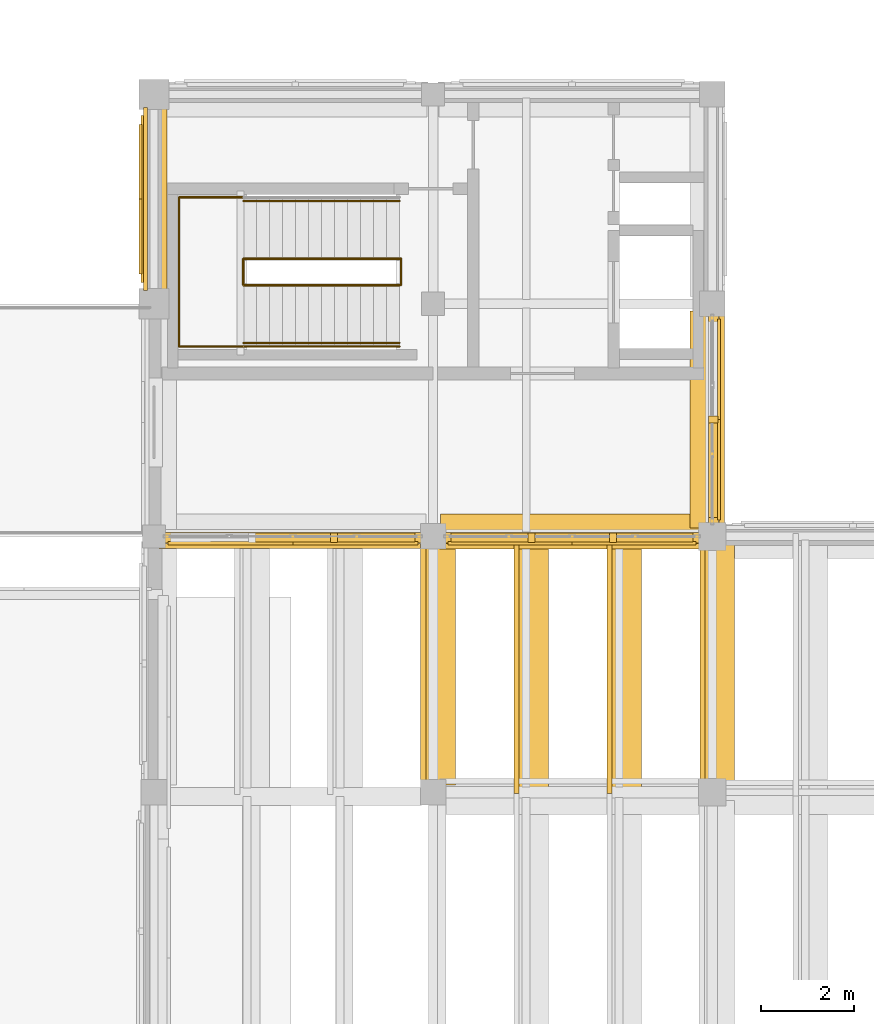
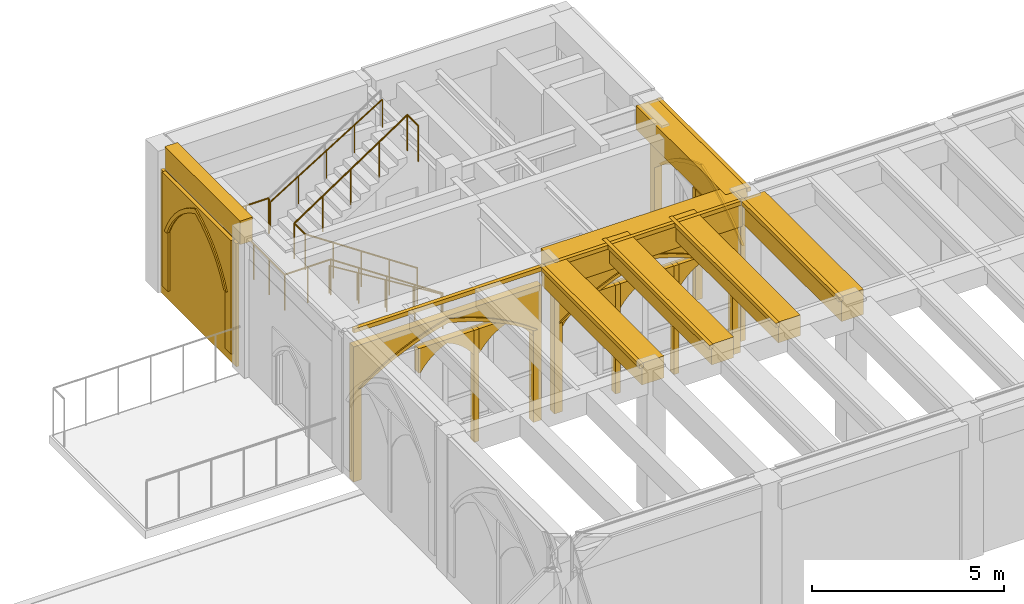
# One storey, part 99 of 127: 33 coverings, 5 railings.
"""IFC4 building model written with IfcOpenShell, lengths in metres."""

from ifc_helpers import new_model, si_unit, direction, frame, origin, origin_2d, place, context, subcontext, project, spatial, polyline, rectangle, circle, outline, extrude, material, type_object, element, save


model = new_model("IFC4")

# Units and contexts
model_context = context("Model", 3, precision=1e-05, world=origin(), true_north=direction((0.0, 1.0)))
body_context = subcontext(model_context, "Body", "Model", "MODEL_VIEW")
ifc_project = project(units=[si_unit("LENGTHUNIT", "METRE"), si_unit("AREAUNIT", "SQUARE_METRE"), si_unit("VOLUMEUNIT", "CUBIC_METRE"), si_unit("PLANEANGLEUNIT", "RADIAN"), si_unit("MASSUNIT", "GRAM", prefix="KILO")], contexts=[model_context])

# Site, building, storey
site_placement = place(None, origin())
site = spatial("IfcSite", under=ifc_project, at=site_placement, CompositionType="ELEMENT")
building_placement = place(site_placement, origin())
building = spatial("IfcBuilding", under=site, at=building_placement, Name="Cumevento Cable Car Station", CompositionType="ELEMENT")
storey_placement = place(building_placement, frame((0.0, 0.0, 4.5)))
storey = spatial("IfcBuildingStorey", under=building, at=storey_placement, Name="L02", CompositionType="ELEMENT", Elevation=4.5)

# Railings
ifc_material_1 = material(Name="Painted Galvanised Architectural Steel", Category="steel")
railing_type_1 = type_object("IfcRailingType", Name="Stair Guardrail GR-S115", PredefinedType="GUARDRAIL", material=ifc_material_1)
railing_1_placement = place(storey_placement, frame((27.280029296875, 61.89990234375, 0.0)))
element("IfcRailing", 1, at=railing_1_placement, inside=storey, type_object=railing_type_1, Name="Stair Well Inner Guardrail ST-04-L02", PredefinedType="GUARDRAIL", context=body_context, shape_type="SweptSolid", body=[
    extrude(circle(Radius=0.02392578125, at=origin_2d()), frame((0.0, 0.0, 1.1259765625), z_axis=(-0.830915400975, 0.0, 0.556398774641), x_axis=(0.0, -1.0, 0.0)), (0.0, 0.0, 1.0), 4.0439453125),
    extrude(circle(Radius=0.02392578125, at=origin_2d()), frame((-3.360107421875, 0.0, 3.3759765625), z_axis=(0.0, 1.0, 0.0), x_axis=(-1.0, 0.0, 0.0)), (0.0, 0.0, 1.0), 0.570068359375),
    extrude(circle(Radius=0.02392578125, at=origin_2d()), frame((-3.360107421875, 0.570068359375, 3.3759765625), z_axis=(0.833193183746, 0.0, 0.552982023722), x_axis=(0.0, 1.0, 0.0)), (0.0, 0.0, 1.0), 4.06884765625),
    extrude(circle(Radius=0.02392578125, at=origin_2d()), frame((0.030029296875, 0.570068359375, 5.6259765625), z_axis=(0.0, -1.0, 0.0), x_axis=(1.0, 0.0, 0.0)), (0.0, 0.0, 1.0), 0.570068359375),
    extrude(circle(Radius=0.02001953125, at=origin_2d()), origin(), (0.0, 0.0, 1.0), 1.101806640625),
    extrude(circle(Radius=0.02001953125, at=origin_2d()), frame((-0.840087890625, 0.0, 0.5625)), (0.0, 0.0, 1.0), 1.101806640625),
    extrude(circle(Radius=0.02001953125, at=origin_2d()), frame((-1.68017578125, 0.0, 1.125)), (0.0, 0.0, 1.0), 1.101806640625),
    extrude(circle(Radius=0.02001953125, at=origin_2d()), frame((-2.52001953125, 0.0, 1.6875)), (0.0, 0.0, 1.0), 1.101806640625),
    extrude(circle(Radius=0.02001953125, at=origin_2d()), frame((-3.360107421875, 0.0, 2.25)), (0.0, 0.0, 1.0), 1.101806640625),
    extrude(circle(Radius=0.02001953125, at=origin_2d()), frame((-3.360107421875, 0.570068359375, 2.25)), (0.0, 0.0, 1.0), 1.101806640625),
    extrude(circle(Radius=0.02001953125, at=origin_2d()), frame((-2.5126953125, 0.570068359375, 2.8125)), (0.0, 0.0, 1.0), 1.101806640625),
    extrude(circle(Radius=0.02001953125, at=origin_2d()), frame((-1.6650390625, 0.570068359375, 3.375)), (0.0, 0.0, 1.0), 1.101806640625),
    extrude(circle(Radius=0.02001953125, at=origin_2d()), frame((-0.8173828125, 0.570068359375, 3.9375)), (0.0, 0.0, 1.0), 1.101806640625),
    extrude(circle(Radius=0.02001953125, at=origin_2d()), frame((0.030029296875, 0.570068359375, 4.5)), (0.0, 0.0, 1.0), 1.101806640625),
    extrude(circle(Radius=0.02001953125, at=origin_2d()), frame((0.030029296875, 0.0, 4.5)), (0.0, 0.0, 1.0), 1.101806640625),
])
railing_2_placement = place(storey_placement, frame((23.919921875, 60.580078125, 2.25)))
element("IfcRailing", 2, at=railing_2_placement, inside=storey, type_object=railing_type_1, Name="Stair Half-Landing Guardrail ST-04-L02", PredefinedType="GUARDRAIL", context=body_context, shape_type="SweptSolid", body=[
    extrude(circle(Radius=0.02392578125, at=origin_2d()), frame((0.0, 0.0, 1.1259765625), z_axis=(-1.0, 0.0, 0.0), x_axis=(0.0, -1.0, 0.0)), (0.0, 0.0, 1.0), 1.3798828125),
    extrude(circle(Radius=0.02392578125, at=origin_2d()), frame((-1.3798828125, 0.0, 1.1259765625), z_axis=(0.0, 1.0, 0.0), x_axis=(-1.0, 0.0, 0.0)), (0.0, 0.0, 1.0), 3.2099609375),
    extrude(circle(Radius=0.02392578125, at=origin_2d()), frame((-1.3798828125, 3.2099609375, 1.1259765625), z_axis=(1.0, 0.0, 0.0), x_axis=(0.0, 1.0, 0.0)), (0.0, 0.0, 1.0), 1.3798828125),
    extrude(circle(Radius=0.02001953125, at=origin_2d()), origin(), (0.0, 0.0, 1.0), 1.101806640625),
    extrude(circle(Radius=0.02001953125, at=origin_2d()), frame((-0.68994140625, 0.0, 0.0)), (0.0, 0.0, 1.0), 1.101806640625),
    extrude(circle(Radius=0.02001953125, at=origin_2d()), frame((-1.3798828125, 0.0, 0.0)), (0.0, 0.0, 1.0), 1.101806640625),
    extrude(circle(Radius=0.02001953125, at=origin_2d()), frame((-1.3798828125, 0.802490234375, 0.0)), (0.0, 0.0, 1.0), 1.101806640625),
    extrude(circle(Radius=0.02001953125, at=origin_2d()), frame((-1.3798828125, 1.60498046875, 0.0)), (0.0, 0.0, 1.0), 1.101806640625),
    extrude(circle(Radius=0.02001953125, at=origin_2d()), frame((-1.3798828125, 2.407470703125, 0.0)), (0.0, 0.0, 1.0), 1.101806640625),
    extrude(circle(Radius=0.02001953125, at=origin_2d()), frame((-1.3798828125, 3.2099609375, 0.0)), (0.0, 0.0, 1.0), 1.101806640625),
    extrude(circle(Radius=0.02001953125, at=origin_2d()), frame((-0.68994140625, 3.2099609375, 0.0)), (0.0, 0.0, 1.0), 1.101806640625),
    extrude(circle(Radius=0.02001953125, at=origin_2d()), frame((0.0, 3.2099609375, 0.0)), (0.0, 0.0, 1.0), 1.101806640625),
])
railing_3_placement = place(storey_placement, frame((27.280029296875, 60.580078125, 0.0)))
element("IfcRailing", 3, at=railing_3_placement, inside=storey, type_object=railing_type_1, Name="Stair Outer Guardrail ST-04-L02 F1", PredefinedType="GUARDRAIL", context=body_context, shape_type="SweptSolid", body=[
    extrude(circle(Radius=0.02392578125, at=origin_2d()), frame((0.0, 0.0, 1.1259765625), z_axis=(-0.830915400975, 0.0, 0.556398774641), x_axis=(0.0, -1.0, 0.0)), (0.0, 0.0, 1.0), 4.0439453125),
    extrude(circle(Radius=0.02001953125, at=origin_2d()), origin(), (0.0, 0.0, 1.0), 1.101806640625),
    extrude(circle(Radius=0.02001953125, at=origin_2d()), frame((-0.840087890625, 0.0, 0.5625)), (0.0, 0.0, 1.0), 1.101806640625),
    extrude(circle(Radius=0.02001953125, at=origin_2d()), frame((-1.68017578125, 0.0, 1.125)), (0.0, 0.0, 1.0), 1.101806640625),
    extrude(circle(Radius=0.02001953125, at=origin_2d()), frame((-2.52001953125, 0.0, 1.6875)), (0.0, 0.0, 1.0), 1.101806640625),
    extrude(circle(Radius=0.02001953125, at=origin_2d()), frame((-3.360107421875, 0.0, 2.25)), (0.0, 0.0, 1.0), 1.101806640625),
])
ifc_material_2 = material(Name="Brushed Stainless Steel Handrail Tube", Category="steel")
railing_type_2 = type_object("IfcRailingType", Name="Stair Handrail HR-090", PredefinedType="HANDRAIL", material=ifc_material_2)
railing_4_placement = place(storey_placement, frame((27.280029296875, 60.659912109375, 0.17626953125)))
element("IfcRailing", 4, at=railing_4_placement, inside=storey, type_object=railing_type_2, Name="Stair Pitch Handrail ST-04-L02 F1", PredefinedType="HANDRAIL", context=body_context, shape_type="SweptSolid", body=[
    extrude(circle(Radius=0.02099609375, at=origin_2d()), frame((0.0, 0.0, 0.87890625), z_axis=(-0.850623216509, 0.0, 0.525775754039), x_axis=(0.0, -1.0, 0.0)), (0.0, 0.0, 1.0), 3.9501953125),
    extrude(circle(Radius=0.01611328125, at=origin_2d()), origin(), (0.0, 0.0, 1.0), 0.85791015625),
    extrude(circle(Radius=0.01611328125, at=origin_2d()), frame((-0.840087890625, 0.0, 0.519287109375)), (0.0, 0.0, 1.0), 0.85791015625),
    extrude(circle(Radius=0.01611328125, at=origin_2d()), frame((-1.68017578125, 0.0, 1.03857421875)), (0.0, 0.0, 1.0), 0.85791015625),
    extrude(circle(Radius=0.01611328125, at=origin_2d()), frame((-2.52001953125, 0.0, 1.5576171875)), (0.0, 0.0, 1.0), 0.85791015625),
    extrude(circle(Radius=0.01611328125, at=origin_2d()), frame((-3.360107421875, 0.0, 2.076904296875)), (0.0, 0.0, 1.0), 0.85791015625),
])
railing_5_placement = place(storey_placement, frame((23.919921875, 63.7099609375, 2.42626953125)))
element("IfcRailing", 5, at=railing_5_placement, inside=storey, type_object=railing_type_2, Name="Stair Pitch Handrail ST-04-L02 F2", PredefinedType="HANDRAIL", context=body_context, shape_type="SweptSolid", body=[
    extrude(circle(Radius=0.02099609375, at=origin_2d()), frame((0.0, 0.0, 0.87890625), z_axis=(0.850623216509, 0.0, 0.525775754039), x_axis=(0.0, 1.0, 0.0)), (0.0, 0.0, 1.0), 3.9501953125),
    extrude(circle(Radius=0.01611328125, at=origin_2d()), origin(), (0.0, 0.0, 1.0), 0.85791015625),
    extrude(circle(Radius=0.01611328125, at=origin_2d()), frame((0.840087890625, 0.0, 0.519287109375)), (0.0, 0.0, 1.0), 0.85791015625),
    extrude(circle(Radius=0.01611328125, at=origin_2d()), frame((1.68017578125, 0.0, 1.03857421875)), (0.0, 0.0, 1.0), 0.85791015625),
    extrude(circle(Radius=0.01611328125, at=origin_2d()), frame((2.52001953125, 0.0, 1.5576171875)), (0.0, 0.0, 1.0), 0.85791015625),
    extrude(circle(Radius=0.01611328125, at=origin_2d()), frame((3.360107421875, 0.0, 2.076904296875)), (0.0, 0.0, 1.0), 0.85791015625),
])

# Coverings
ifc_material_3 = material(Name="Gnaisse Facoidal Stone Ashlar 85 MPa", Category="masonry")
covering_type = type_object("IfcCoveringType", Name="Gnaisse Ashlar Cladding CV-CL01", PredefinedType="CLADDING", material=ifc_material_3)
covering_1_placement = place(storey_placement, frame((24.987548828125, 56.29248046875, 4.300048828125), z_axis=(0.0, 0.0, 1.0), x_axis=(-1.0, 0.0, 0.0)))
element("IfcCovering", 6, at=covering_1_placement, inside=storey, type_object=covering_type, Name="Gothic Cornice Dripstone Lip sc:0360", PredefinedType="CLADDING", context=body_context, shape_type="SweptSolid", body=[
    extrude(rectangle(XDim=5.7548828125, YDim=0.114990234375, at=origin_2d()), origin(), (0.0, 0.0, 1.0), 0.1298828125),
])
covering_2_placement = place(storey_placement, frame((30.987548828125, 56.647216796875, 3.551025390625), z_axis=(0.0, 0.0, 1.0), x_axis=(-1.0, 0.0, 0.0)))
element("IfcCovering", 7, at=covering_2_placement, inside=storey, type_object=covering_type, Name="Gothic Stone Spandrel Stringcourse sc:0361", PredefinedType="CLADDING", context=body_context, shape_type="SweptSolid", body=[
    extrude(rectangle(XDim=5.6650390625, YDim=0.66552734375, at=origin_2d()), origin(), (0.0, 0.0, 1.0), 0.87890625),
])
covering_3_placement = place(storey_placement, frame((30.987548828125, 56.287109375, 4.300048828125), z_axis=(0.0, 0.0, 1.0), x_axis=(-1.0, 0.0, 0.0)))
element("IfcCovering", 8, at=covering_3_placement, inside=storey, type_object=covering_type, Name="Gothic Cornice Dripstone Lip sc:0361", PredefinedType="CLADDING", context=body_context, shape_type="SweptSolid", body=[
    extrude(rectangle(XDim=5.705078125, YDim=0.114990234375, at=origin_2d()), origin(), (0.0, 0.0, 1.0), 0.1298828125),
])
covering_4_placement = place(storey_placement, frame((28.148681640625, 53.75, 3.73583984375), z_axis=(0.0, 0.0, 1.0), x_axis=(0.0, 1.0, 0.0)))
element("IfcCovering", 9, at=covering_4_placement, inside=storey, type_object=covering_type, Name="Gothic Stone Spandrel Stringcourse sc:0368", PredefinedType="CLADDING", context=body_context, shape_type="SweptSolid", body=[
    extrude(rectangle(XDim=5.18994140625, YDim=0.66259765625, at=origin_2d()), origin(), (0.0, 0.0, 1.0), 0.694091796875),
])
covering_5_placement = place(storey_placement, frame((27.7900390625, 53.75, 4.300048828125), z_axis=(0.0, 0.0, 1.0), x_axis=(0.0, 1.0, 0.0)))
element("IfcCovering", 10, at=covering_5_placement, inside=storey, type_object=covering_type, Name="Gothic Cornice Dripstone Lip sc:0368", PredefinedType="CLADDING", context=body_context, shape_type="SweptSolid", body=[
    extrude(rectangle(XDim=5.22998046875, YDim=0.114990234375, at=origin_2d()), origin(), (0.0, 0.0, 1.0), 0.1298828125),
])
covering_6_placement = place(storey_placement, frame((34.14990234375, 53.75, 3.6328125), z_axis=(0.0, 0.0, 1.0), x_axis=(0.0, 1.0, 0.0)))
element("IfcCovering", 11, at=covering_6_placement, inside=storey, type_object=covering_type, Name="Gothic Stone Spandrel Stringcourse sc:0370", PredefinedType="CLADDING", context=body_context, shape_type="SweptSolid", body=[
    extrude(rectangle(XDim=5.139892578125, YDim=0.659912109375, at=origin_2d()), origin(), (0.0, 0.0, 1.0), 0.797119140625),
])
covering_7_placement = place(storey_placement, frame((33.79248046875, 53.75, 4.300048828125), z_axis=(0.0, 0.0, 1.0), x_axis=(0.0, 1.0, 0.0)))
element("IfcCovering", 12, at=covering_7_placement, inside=storey, type_object=covering_type, Name="Gothic Cornice Dripstone Lip sc:0370", PredefinedType="CLADDING", context=body_context, shape_type="SweptSolid", body=[
    extrude(rectangle(XDim=5.179931640625, YDim=0.114990234375, at=origin_2d()), origin(), (0.0, 0.0, 1.0), 0.1298828125),
])
covering_8_placement = place(storey_placement, frame((22.090087890625, 63.75, 3.80908203125), z_axis=(0.0, 0.0, 1.0), x_axis=(0.0, 1.0, 0.0)))
element("IfcCovering", 13, at=covering_8_placement, inside=storey, type_object=covering_type, Name="Gothic Stone Spandrel Stringcourse sc:0380", PredefinedType="CLADDING", context=body_context, shape_type="SweptSolid", body=[
    extrude(rectangle(XDim=3.909912109375, YDim=0.3798828125, at=origin_2d()), origin(), (0.0, 0.0, 1.0), 0.7470703125),
])
covering_9_placement = place(storey_placement, frame((33.85009765625, 59.012451171875, 3.682861328125), z_axis=(0.0, 0.0, 1.0), x_axis=(0.0, -1.0, 0.0)))
element("IfcCovering", 14, at=covering_9_placement, inside=storey, type_object=covering_type, Name="Gothic Stone Spandrel Stringcourse sc:0381", PredefinedType="CLADDING", context=body_context, shape_type="SweptSolid", body=[
    extrude(rectangle(XDim=4.6650390625, YDim=0.659912109375, at=origin_2d()), origin(), (0.0, 0.0, 1.0), 0.7470703125),
])
covering_10_placement = place(storey_placement, frame((34.20751953125, 59.012451171875, 4.300048828125), z_axis=(0.0, 0.0, 1.0), x_axis=(0.0, -1.0, 0.0)))
element("IfcCovering", 15, at=covering_10_placement, inside=storey, type_object=covering_type, Name="Gothic Cornice Dripstone Lip sc:0381", PredefinedType="CLADDING", context=body_context, shape_type="SweptSolid", body=[
    extrude(rectangle(XDim=4.705078125, YDim=0.114990234375, at=origin_2d()), origin(), (0.0, 0.0, 1.0), 0.1298828125),
])
covering_11_placement = place(storey_placement, frame((30.14990234375, 53.7607421875, 3.77294921875), z_axis=(0.0, 0.0, 1.0), x_axis=(0.0, 1.0, 0.0)))
element("IfcCovering", 16, at=covering_11_placement, inside=storey, type_object=covering_type, Name="Gothic Stone Spandrel Stringcourse sc:0497", PredefinedType="CLADDING", context=body_context, shape_type="SweptSolid", body=[
    extrude(rectangle(XDim=5.531494140625, YDim=0.659912109375, at=origin_2d()), origin(), (0.0, 0.0, 1.0), 0.656982421875),
])
covering_12_placement = place(storey_placement, frame((29.79248046875, 53.7607421875, 4.300048828125), z_axis=(0.0, 0.0, 1.0), x_axis=(0.0, 1.0, 0.0)))
element("IfcCovering", 17, at=covering_12_placement, inside=storey, type_object=covering_type, Name="Gothic Cornice Dripstone Lip sc:0497", PredefinedType="CLADDING", context=body_context, shape_type="SweptSolid", body=[
    extrude(rectangle(XDim=5.571533203125, YDim=0.114990234375, at=origin_2d()), origin(), (0.0, 0.0, 1.0), 0.1298828125),
])
covering_13_placement = place(storey_placement, frame((32.14990234375, 53.7607421875, 3.77294921875), z_axis=(0.0, 0.0, 1.0), x_axis=(0.0, 1.0, 0.0)))
element("IfcCovering", 18, at=covering_13_placement, inside=storey, type_object=covering_type, Name="Gothic Stone Spandrel Stringcourse sc:0499", PredefinedType="CLADDING", context=body_context, shape_type="SweptSolid", body=[
    extrude(rectangle(XDim=5.531494140625, YDim=0.659912109375, at=origin_2d()), origin(), (0.0, 0.0, 1.0), 0.656982421875),
])
covering_14_placement = place(storey_placement, frame((31.79248046875, 53.7607421875, 4.300048828125), z_axis=(0.0, 0.0, 1.0), x_axis=(0.0, 1.0, 0.0)))
element("IfcCovering", 19, at=covering_14_placement, inside=storey, type_object=covering_type, Name="Gothic Cornice Dripstone Lip sc:0499", PredefinedType="CLADDING", context=body_context, shape_type="SweptSolid", body=[
    extrude(rectangle(XDim=5.571533203125, YDim=0.114990234375, at=origin_2d()), origin(), (0.0, 0.0, 1.0), 0.1298828125),
])
placement_1 = place(storey_placement, frame((27.72509765625, 56.5, -0.52001953125), z_axis=(0.0, 0.0, 1.0), x_axis=(-1.0, 0.0, 0.0)))
element("IfcCovering", 20, at=placement_1, inside=storey, type_object=covering_type, Name="Gothic Ogival Pointed-Arch Stone Spandrel cw_ogival:0056", PredefinedType="CLADDING", context=body_context, shape_type="SweptSolid", body=[
    extrude(outline(polyline([(-0.080078125, 0.0), (-0.080078125, 4.287109375), (5.554931640625, 4.287109375), (5.554931640625, 0.0), (5.31494140625, 0.0), (5.31494140625, 2.937255859375), (5.019775390625, 3.13427734375), (4.71533203125, 3.31689453125), (4.402587890625, 3.484375), (4.08203125, 3.636962890625), (3.75439453125, 3.773681640625), (3.420654296875, 3.894287109375), (3.08154296875, 3.9990234375), (2.737548828125, 4.0869140625), (2.3935546875, 3.9990234375), (2.054443359375, 3.894287109375), (1.720703125, 3.773681640625), (1.39306640625, 3.636962890625), (1.072509765625, 3.484375), (0.759765625, 3.31689453125), (0.455322265625, 3.13427734375), (0.159912109375, 2.937255859375), (0.159912109375, 0.0), (-0.080078125, 0.0)])), frame((0.0, 0.139892578125, 0.0), z_axis=(0.0, -1.0, 0.0), x_axis=(1.0, 0.0, 0.0)), (0.0, 0.0, 1.0), 0.219970703125),
])
covering_16_placement = place(storey_placement, frame((27.72509765625, 56.5, 2.417236328125), z_axis=(0.0, 0.0, 1.0), x_axis=(-1.0, 0.0, 0.0)))
element("IfcCovering", 21, at=covering_16_placement, inside=storey, type_object=covering_type, Name="Gothic Pointed Archivolt Hood Moulding cw_ogival:0056", PredefinedType="CLADDING", context=body_context, shape_type="SweptSolid", body=[
    extrude(outline(polyline([(0.159912109375, 0.0), (0.455322265625, 0.197021484375), (0.759765625, 0.379638671875), (1.072509765625, 0.547119140625), (1.39306640625, 0.69970703125), (1.720703125, 0.83642578125), (2.054443359375, 0.95703125), (2.3935546875, 1.061767578125), (2.737548828125, 1.149658203125), (3.08154296875, 1.061767578125), (3.420654296875, 0.95703125), (3.75439453125, 0.83642578125), (4.08203125, 0.69970703125), (4.402587890625, 0.547119140625), (4.71533203125, 0.379638671875), (5.019775390625, 0.197021484375), (5.31494140625, 0.0), (5.425048828125, 0.0), (5.121337890625, 0.219970703125), (4.806396484375, 0.423828125), (4.481689453125, 0.611572265625), (4.147705078125, 0.7822265625), (3.805419921875, 0.935302734375), (3.45556640625, 1.07080078125), (3.099365234375, 1.188232421875), (2.737548828125, 1.287109375), (2.375732421875, 1.188232421875), (2.01953125, 1.07080078125), (1.669677734375, 0.935302734375), (1.327392578125, 0.7822265625), (0.993408203125, 0.611572265625), (0.668701171875, 0.423828125), (0.353759765625, 0.219970703125), (0.050048828125, 0.0), (0.159912109375, 0.0)])), frame((0.0, 0.181884765625, 0.0), z_axis=(0.0, -1.0, 0.0), x_axis=(1.0, 0.0, 0.0)), (0.0, 0.0, 1.0), 0.06689453125),
])
element("IfcCovering", 22, at=placement_1, inside=storey, type_object=covering_type, Name="Gothic Bifora Stone Colonnette cw_ogival:0056 #1", PredefinedType="CLADDING", context=body_context, shape_type="SweptSolid", body=[
    extrude(outline(polyline([(1.7783203125, -0.02001953125), (1.92822265625, -0.02001953125), (1.92822265625, 3.53515625), (1.7783203125, 3.53515625), (1.7783203125, -0.02001953125)])), frame((0.0, 0.1279296875, 0.0), z_axis=(0.0, -1.0, 0.0), x_axis=(1.0, 0.0, 0.0)), (0.0, 0.0, 1.0), 0.205078125),
])
for number, where, z_axis, x_axis, name in (
    (23, (27.594970703125, 56.5, 2.2373046875), (0.0, 0.0, 1.0), (-1.0, 0.0, 0.0), "Gothic Ogival Pointed-Arch Stone Spandrel cw_ogival:0056:sub:0"),
    (24, (25.82666015625, 56.5, 2.2373046875), (0.0, 0.0, 1.0), (-1.0, 0.0, 0.0), "Gothic Ogival Pointed-Arch Stone Spandrel cw_ogival:0056:sub:1"),
):
    element("IfcCovering", number, at=place(storey_placement, frame(where, z_axis=z_axis, x_axis=x_axis)), inside=storey, type_object=covering_type, Name=name, PredefinedType="CLADDING", context=body_context, shape_type="SweptSolid", body=[
        extrude(outline(polyline([(-0.02001953125, 0.0), (-0.02001953125, 0.77783203125), (1.6982421875, 0.77783203125), (1.6982421875, 0.0), (1.638427734375, 0.0), (1.53662109375, 0.142822265625), (1.42041015625, 0.2744140625), (1.291259765625, 0.392822265625), (1.150146484375, 0.496826171875), (0.998779296875, 0.58544921875), (0.839111328125, 0.65771484375), (0.679443359375, 0.58544921875), (0.528076171875, 0.496826171875), (0.386962890625, 0.392822265625), (0.2578125, 0.2744140625), (0.1416015625, 0.142822265625), (0.0400390625, 0.0), (-0.02001953125, 0.0)])), frame((0.0, 0.1240234375, 0.0), z_axis=(0.0, -1.0, 0.0), x_axis=(1.0, 0.0, 0.0)), (0.0, 0.0, 1.0), 0.199951171875),
    ])
placement_2 = place(storey_placement, frame((33.699951171875, 56.5, -0.469970703125), z_axis=(0.0, 0.0, 1.0), x_axis=(-1.0, 0.0, 0.0)))
element("IfcCovering", 25, at=placement_2, inside=storey, type_object=covering_type, Name="Gothic Ogival Pointed-Arch Stone Spandrel cw_ogival:0057", PredefinedType="CLADDING", context=body_context, shape_type="SweptSolid", body=[
    extrude(outline(polyline([(-0.080078125, 0.0), (-0.080078125, 4.160888671875), (5.5048828125, 4.160888671875), (5.5048828125, 0.0), (5.264892578125, 0.0), (5.264892578125, 2.856689453125), (4.97119140625, 3.046142578125), (4.668701171875, 3.2216796875), (4.3583984375, 3.3828125), (4.040771484375, 3.529052734375), (3.716796875, 3.660400390625), (3.38671875, 3.7763671875), (3.0517578125, 3.876708984375), (2.71240234375, 3.961181640625), (2.373291015625, 3.876708984375), (2.038330078125, 3.7763671875), (1.708251953125, 3.660400390625), (1.38427734375, 3.529052734375), (1.066650390625, 3.3828125), (0.75634765625, 3.2216796875), (0.453857421875, 3.046142578125), (0.159912109375, 2.856689453125), (0.159912109375, 0.0), (-0.080078125, 0.0)])), frame((0.0, 0.139892578125, 0.0), z_axis=(0.0, -1.0, 0.0), x_axis=(1.0, 0.0, 0.0)), (0.0, 0.0, 1.0), 0.219970703125),
])
covering_19_placement = place(storey_placement, frame((33.699951171875, 56.5, 2.38671875), z_axis=(0.0, 0.0, 1.0), x_axis=(-1.0, 0.0, 0.0)))
element("IfcCovering", 26, at=covering_19_placement, inside=storey, type_object=covering_type, Name="Gothic Pointed Archivolt Hood Moulding cw_ogival:0057", PredefinedType="CLADDING", context=body_context, shape_type="SweptSolid", body=[
    extrude(outline(polyline([(0.159912109375, 0.0), (0.453857421875, 0.189453125), (0.75634765625, 0.364990234375), (1.066650390625, 0.526123046875), (1.38427734375, 0.67236328125), (1.708251953125, 0.8037109375), (2.038330078125, 0.919677734375), (2.373291015625, 1.02001953125), (2.71240234375, 1.1044921875), (3.0517578125, 1.02001953125), (3.38671875, 0.919677734375), (3.716796875, 0.8037109375), (4.040771484375, 0.67236328125), (4.3583984375, 0.526123046875), (4.668701171875, 0.364990234375), (4.97119140625, 0.189453125), (5.264892578125, 0.0), (5.375, 0.0), (5.072509765625, 0.21240234375), (4.759765625, 0.409423828125), (4.437255859375, 0.59033203125), (4.1064453125, 0.755126953125), (3.767578125, 0.90283203125), (3.421630859375, 1.033447265625), (3.06982421875, 1.146484375), (2.71240234375, 1.241943359375), (2.355224609375, 1.146484375), (2.00341796875, 1.033447265625), (1.657470703125, 0.90283203125), (1.318603515625, 0.755126953125), (0.98779296875, 0.59033203125), (0.665283203125, 0.409423828125), (0.3525390625, 0.21240234375), (0.050048828125, 0.0), (0.159912109375, 0.0)])), frame((0.0, 0.181884765625, 0.0), z_axis=(0.0, -1.0, 0.0), x_axis=(1.0, 0.0, 0.0)), (0.0, 0.0, 1.0), 0.06689453125),
])
element("IfcCovering", 27, at=placement_2, inside=storey, type_object=covering_type, Name="Gothic Bifora Stone Colonnette cw_ogival:0057 #1", PredefinedType="CLADDING", context=body_context, shape_type="SweptSolid", body=[
    extrude(outline(polyline([(1.76171875, -0.02001953125), (1.91162109375, -0.02001953125), (1.91162109375, 3.430908203125), (1.76171875, 3.430908203125), (1.76171875, -0.02001953125)])), frame((0.0, 0.1279296875, 0.0), z_axis=(0.0, -1.0, 0.0), x_axis=(1.0, 0.0, 0.0)), (0.0, 0.0, 1.0), 0.205078125),
])
element("IfcCovering", 28, at=placement_2, inside=storey, type_object=covering_type, Name="Gothic Bifora Stone Colonnette cw_ogival:0057 #2", PredefinedType="CLADDING", context=body_context, shape_type="SweptSolid", body=[
    extrude(outline(polyline([(3.513427734375, -0.02001953125), (3.663330078125, -0.02001953125), (3.663330078125, 3.430908203125), (3.513427734375, 3.430908203125), (3.513427734375, -0.02001953125)])), frame((0.0, 0.1279296875, 0.0), z_axis=(0.0, -1.0, 0.0), x_axis=(1.0, 0.0, 0.0)), (0.0, 0.0, 1.0), 0.205078125),
])
for number, where, z_axis, x_axis, name in (
    (29, (33.570068359375, 56.5, 2.20654296875), (0.0, 0.0, 1.0), (-1.0, 0.0, 0.0), "Gothic Ogival Pointed-Arch Stone Spandrel cw_ogival:0057:sub:0"),
    (30, (31.818359375, 56.5, 2.20654296875), (0.0, 0.0, 1.0), (-1.0, 0.0, 0.0), "Gothic Ogival Pointed-Arch Stone Spandrel cw_ogival:0057:sub:1"),
    (31, (30.066650390625, 56.5, 2.20654296875), (0.0, 0.0, 1.0), (-1.0, 0.0, 0.0), "Gothic Ogival Pointed-Arch Stone Spandrel cw_ogival:0057:sub:2"),
):
    element("IfcCovering", number, at=place(storey_placement, frame(where, z_axis=z_axis, x_axis=x_axis)), inside=storey, type_object=covering_type, Name=name, PredefinedType="CLADDING", context=body_context, shape_type="SweptSolid", body=[
        extrude(outline(polyline([(-0.02001953125, 0.0), (-0.02001953125, 0.75439453125), (1.681640625, 0.75439453125), (1.681640625, 0.0), (1.62158203125, 0.0), (1.519775390625, 0.13818359375), (1.404052734375, 0.264892578125), (1.27587890625, 0.379150390625), (1.13671875, 0.4794921875), (0.98779296875, 0.564697265625), (0.830810546875, 0.63427734375), (0.673828125, 0.564697265625), (0.52490234375, 0.4794921875), (0.3857421875, 0.379150390625), (0.257568359375, 0.264892578125), (0.141845703125, 0.13818359375), (0.0400390625, 0.0), (-0.02001953125, 0.0)])), frame((0.0, 0.1240234375, 0.0), z_axis=(0.0, -1.0, 0.0), x_axis=(1.0, 0.0, 0.0)), (0.0, 0.0, 1.0), 0.199951171875),
    ])
placement_3 = place(storey_placement, frame((34.0, 61.22509765625, -0.419921875), z_axis=(0.0, 0.0, 1.0), x_axis=(0.0, -1.0, 0.0)))
element("IfcCovering", 32, at=placement_3, inside=storey, type_object=covering_type, Name="Gothic Ogival Pointed-Arch Stone Spandrel cw_ogival:0058", PredefinedType="CLADDING", context=body_context, shape_type="SweptSolid", body=[
    extrude(outline(polyline([(-0.080078125, 0.0), (-0.080078125, 4.242919921875), (4.5048828125, 4.242919921875), (4.5048828125, 0.0), (4.264892578125, 0.0), (4.264892578125, 2.9091796875), (4.040283203125, 3.1015625), (3.804931640625, 3.2802734375), (3.5595703125, 3.4453125), (3.304931640625, 3.595703125), (3.0419921875, 3.731201171875), (2.771728515625, 3.85107421875), (2.494873046875, 3.955078125), (2.21240234375, 4.04296875), (1.93017578125, 3.955078125), (1.6533203125, 3.85107421875), (1.383056640625, 3.731201171875), (1.1201171875, 3.595703125), (0.865478515625, 3.4453125), (0.6201171875, 3.2802734375), (0.384765625, 3.1015625), (0.159912109375, 2.9091796875), (0.159912109375, 0.0), (-0.080078125, 0.0)])), frame((0.0, 0.139892578125, 0.0), z_axis=(0.0, -1.0, 0.0), x_axis=(1.0, 0.0, 0.0)), (0.0, 0.0, 1.0), 0.219970703125),
])
covering_23_placement = place(storey_placement, frame((34.0, 61.22509765625, 2.489013671875), z_axis=(0.0, 0.0, 1.0), x_axis=(0.0, -1.0, 0.0)))
element("IfcCovering", 33, at=covering_23_placement, inside=storey, type_object=covering_type, Name="Gothic Pointed Archivolt Hood Moulding cw_ogival:0058", PredefinedType="CLADDING", context=body_context, shape_type="SweptSolid", body=[
    extrude(outline(polyline([(0.159912109375, 0.0), (0.384765625, 0.1923828125), (0.6201171875, 0.37109375), (0.865478515625, 0.5361328125), (1.1201171875, 0.6865234375), (1.383056640625, 0.822021484375), (1.6533203125, 0.94189453125), (1.93017578125, 1.046142578125), (2.21240234375, 1.1337890625), (2.494873046875, 1.046142578125), (2.771728515625, 0.94189453125), (3.0419921875, 0.822021484375), (3.304931640625, 0.6865234375), (3.5595703125, 0.5361328125), (3.804931640625, 0.37109375), (4.040283203125, 0.1923828125), (4.264892578125, 0.0), (4.375, 0.0), (4.142333984375, 0.21484375), (3.89697265625, 0.4150390625), (3.639892578125, 0.599853515625), (3.371826171875, 0.7685546875), (3.09423828125, 0.920654296875), (2.8076171875, 1.055419921875), (2.513427734375, 1.172607421875), (2.21240234375, 1.271484375), (1.91162109375, 1.172607421875), (1.617431640625, 1.055419921875), (1.330810546875, 0.920654296875), (1.05322265625, 0.7685546875), (0.78515625, 0.599853515625), (0.528076171875, 0.4150390625), (0.28271484375, 0.21484375), (0.050048828125, 0.0), (0.159912109375, 0.0)])), frame((0.0, 0.181884765625, 0.0), z_axis=(0.0, -1.0, 0.0), x_axis=(1.0, 0.0, 0.0)), (0.0, 0.0, 1.0), 0.06689453125),
])
element("IfcCovering", 34, at=placement_3, inside=storey, type_object=covering_type, Name="Gothic Bifora Stone Colonnette cw_ogival:0058 #1", PredefinedType="CLADDING", context=body_context, shape_type="SweptSolid", body=[
    extrude(outline(polyline([(2.137451171875, -0.02001953125), (2.28759765625, -0.02001953125), (2.28759765625, 3.498779296875), (2.137451171875, 3.498779296875), (2.137451171875, -0.02001953125)])), frame((0.0, 0.1279296875, 0.0), z_axis=(0.0, -1.0, 0.0), x_axis=(1.0, 0.0, 0.0)), (0.0, 0.0, 1.0), 0.205078125),
])
covering_25_placement = place(storey_placement, frame((34.0, 58.967529296875, 2.30908203125), z_axis=(0.0, 0.0, 1.0), x_axis=(0.0, -1.0, 0.0)))
element("IfcCovering", 35, at=covering_25_placement, inside=storey, type_object=covering_type, Name="Gothic Ogival Pointed-Arch Stone Spandrel cw_ogival:0058:sub:1", PredefinedType="CLADDING", context=body_context, shape_type="SweptSolid", body=[
    extrude(outline(polyline([(-0.02001953125, 0.0), (-0.02001953125, 0.76953125), (2.0576171875, 0.76953125), (2.0576171875, 0.0), (1.99755859375, 0.0), (1.861083984375, 0.1435546875), (1.712158203125, 0.2744140625), (1.55224609375, 0.39111328125), (1.382568359375, 0.4931640625), (1.2041015625, 0.57958984375), (1.018798828125, 0.649658203125), (0.83349609375, 0.57958984375), (0.655029296875, 0.4931640625), (0.4853515625, 0.39111328125), (0.325439453125, 0.2744140625), (0.176513671875, 0.1435546875), (0.0400390625, 0.0), (-0.02001953125, 0.0)])), frame((0.0, 0.1240234375, 0.0), z_axis=(0.0, -1.0, 0.0), x_axis=(1.0, 0.0, 0.0)), (0.0, 0.0, 1.0), 0.199951171875),
])
covering_26_placement = place(storey_placement, frame((22.0, 61.824951171875, 0.0), z_axis=(0.0, 0.0, 1.0), x_axis=(0.0, 1.0, 0.0)))
element("IfcCovering", 36, at=covering_26_placement, inside=storey, type_object=covering_type, Name="Exterior Gnaisse Stone Wall Ashlar #198", PredefinedType="CLADDING", context=body_context, shape_type="SweptSolid", body=[
    extrude(outline(polyline([(-0.0400390625, -0.02001953125), (3.889892578125, -0.02001953125), (3.889892578125, 3.888916015625), (-0.0400390625, 3.888916015625), (-0.0400390625, -0.02001953125)])), frame((0.0, 0.222412109375, 0.0), z_axis=(0.0, -1.0, 0.0), x_axis=(1.0, 0.0, 0.0)), (0.0, 0.0, 1.0), 0.0849609375),
])
covering_27_placement = place(storey_placement, frame((22.0, 62.0048828125, 0.300048828125), z_axis=(0.0, 0.0, 1.0), x_axis=(0.0, 1.0, 0.0)))
element("IfcCovering", 37, at=covering_27_placement, inside=storey, type_object=covering_type, Name="Gothic Ogival Pointed-Arch Stone Spandrel blind_ogival:0198", PredefinedType="CLADDING", context=body_context, shape_type="SweptSolid", body=[
    extrude(outline(polyline([(-0.050048828125, 0.0), (-0.050048828125, 3.60888671875), (3.5400390625, 3.60888671875), (3.5400390625, 0.0), (3.22998046875, 0.0), (3.22998046875, 1.86669921875), (3.092529296875, 2.145263671875), (2.9267578125, 2.407958984375), (2.734375, 2.651611328125), (2.517333984375, 2.873779296875), (2.278564453125, 3.072509765625), (2.02001953125, 3.244873046875), (1.7451171875, 3.38916015625), (1.469970703125, 3.244873046875), (1.21142578125, 3.072509765625), (0.97265625, 2.873779296875), (0.755615234375, 2.651611328125), (0.563232421875, 2.407958984375), (0.3974609375, 2.145263671875), (0.260009765625, 1.86669921875), (0.260009765625, 0.0), (-0.050048828125, 0.0)])), frame((0.0, 0.277587890625, 0.0), z_axis=(0.0, -1.0, 0.0), x_axis=(1.0, 0.0, 0.0)), (0.0, 0.0, 1.0), 0.110107421875),
])
covering_28_placement = place(storey_placement, frame((22.0, 62.0048828125, 2.16650390625), z_axis=(0.0, 0.0, 1.0), x_axis=(0.0, 1.0, 0.0)))
element("IfcCovering", 38, at=covering_28_placement, inside=storey, type_object=covering_type, Name="Gothic Pointed Archivolt Hood Moulding blind_ogival:0198", PredefinedType="CLADDING", context=body_context, shape_type="SweptSolid", body=[
    extrude(outline(polyline([(0.260009765625, 0.0), (0.3974609375, 0.278564453125), (0.563232421875, 0.541259765625), (0.755615234375, 0.784912109375), (0.97265625, 1.00732421875), (1.21142578125, 1.205810546875), (1.469970703125, 1.378173828125), (1.7451171875, 1.5224609375), (2.02001953125, 1.378173828125), (2.278564453125, 1.205810546875), (2.517333984375, 1.00732421875), (2.734375, 0.784912109375), (2.9267578125, 0.541259765625), (3.092529296875, 0.278564453125), (3.22998046875, 0.0), (3.35107421875, 0.0), (3.20458984375, 0.3056640625), (3.026611328125, 0.593994140625), (2.819091796875, 0.862060546875), (2.58447265625, 1.106689453125), (2.3251953125, 1.324951171875), (2.04443359375, 1.5146484375), (1.7451171875, 1.673583984375), (1.445556640625, 1.5146484375), (1.164794921875, 1.324951171875), (0.905517578125, 1.106689453125), (0.6708984375, 0.862060546875), (0.46337890625, 0.593994140625), (0.285400390625, 0.3056640625), (0.138916015625, 0.0), (0.260009765625, 0.0)])), frame((0.0, 0.319580078125, 0.0), z_axis=(0.0, -1.0, 0.0), x_axis=(1.0, 0.0, 0.0)), (0.0, 0.0, 1.0), 0.06689453125),
])

save(model, "model.ifc")
